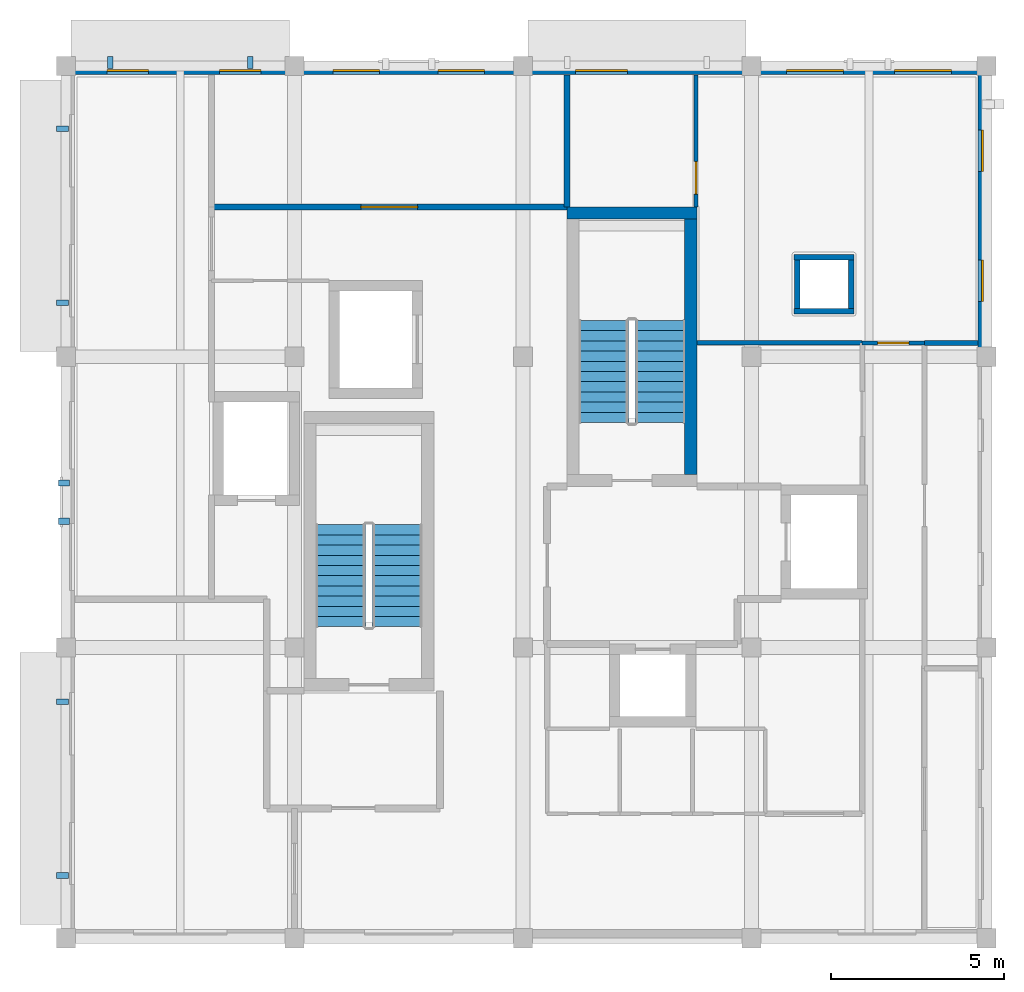
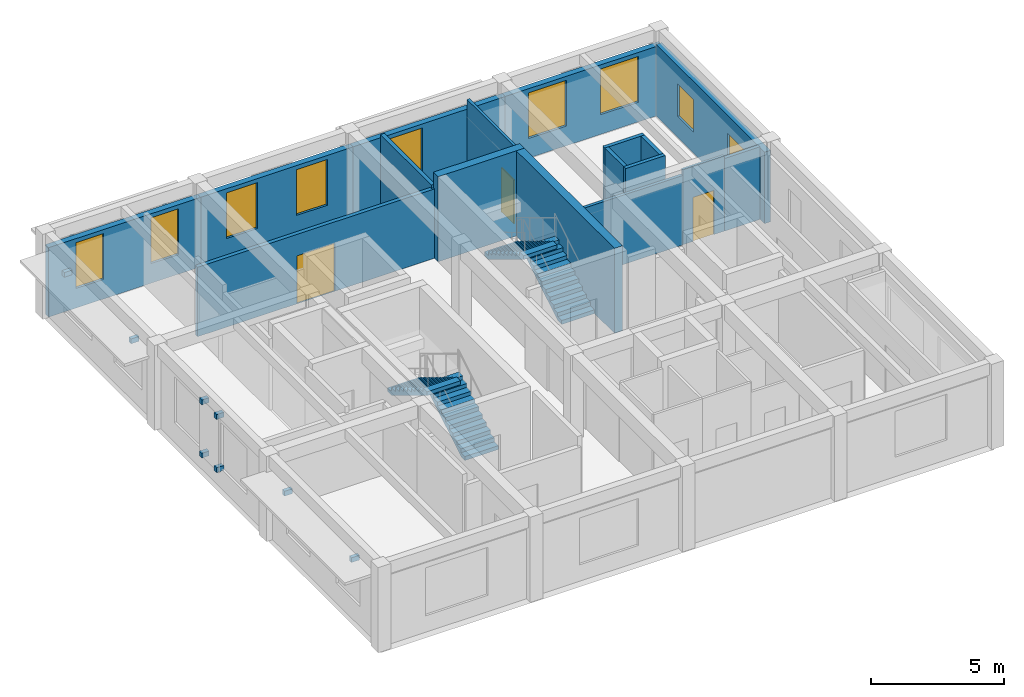
# One storey, part 4 of 6: 17 walls, 10 discrete accessories, 9 windows, 4 stair flights, 3 doors, 12 openings, 2 elements without a shape of their own.
"""IFC4 building model written with IfcOpenShell, lengths in metres."""

from ifc_helpers import new_model, si_unit, direction, frame, frame_2d, origin, origin_2d, place, context, subcontext, project, spatial, polyline, rectangle, outline, extrude, material, layer, layer_set, type_object, element, fill, aggregate, save


model = new_model("IFC4")

# Units and contexts
model_context = context("Model", 3, precision=1e-05, world=origin(), true_north=direction((0.0, 1.0)))
body_context = subcontext(model_context, "Body", "Model", "MODEL_VIEW")
ifc_project = project(units=[si_unit("LENGTHUNIT", "METRE"), si_unit("AREAUNIT", "SQUARE_METRE"), si_unit("VOLUMEUNIT", "CUBIC_METRE"), si_unit("PLANEANGLEUNIT", "RADIAN"), si_unit("MASSUNIT", "GRAM", prefix="KILO")], contexts=[model_context])

# Site, building, storey
site_placement = place(None, origin())
site = spatial("IfcSite", under=ifc_project, at=site_placement, CompositionType="ELEMENT")
building_placement = place(site_placement, origin())
building = spatial("IfcBuilding", under=site, at=building_placement, Name="Kolvaren Faculty of Natural Sciences", CompositionType="ELEMENT")
storey_placement = place(building_placement, frame((0.0, 0.0, 36.60009765625)))
storey = spatial("IfcBuildingStorey", under=building, at=storey_placement, Name="L08", CompositionType="ELEMENT", Elevation=36.60009765625)

# Walls
ifc_material_1 = material(Name="Acoustic mineral-wool insulated gypsum partition")
ifc_layer_1 = layer(ifc_material_1, 0.139892578125)
ifc_layer_set_1 = layer_set([ifc_layer_1], Name="Acoustic mineral-wool insulated gypsum partition")
wall_type_1 = type_object("IfcWallType", Name="CommonsPartitionWall_140", PredefinedType="PARTITIONING", material=ifc_layer_set_1)
wall_1_placement = place(storey_placement, frame((170.199951171875, 76.199951171875, 0.0), z_axis=(0.0, 0.0, 1.0), x_axis=(1.0, 0.0, 0.0)))
element("IfcWall", 1, at=wall_1_placement, inside=storey, type_object=wall_type_1, Name="L08 interior partition PW-140", PredefinedType="PARTITIONING", context=body_context, shape_type="SweptSolid", body=[
    extrude(rectangle(XDim=1.548095703125, YDim=0.139892578125, at=frame_2d((0.77392578125, 0.0))), origin(), (0.0, 0.0, 1.0), 3.3349609375),
])
ifc_material_2 = material(Name="Concrete C40/50", Category="concrete")
ifc_layer_2 = layer(ifc_material_2, 0.35009765625)
ifc_layer_set_2 = layer_set([ifc_layer_2], Name="Concrete C40/50")
wall_type_2 = type_object("IfcWallType", Name="CoreShearWall_350", PredefinedType="SHEAR", material=ifc_layer_set_2)
wall_2_placement = place(storey_placement, frame((159.875, 79.949951171875, 0.0), z_axis=(0.0, 0.0, 1.0), x_axis=(1.0, 0.0, 0.0)))
element("IfcWall", 2, at=wall_2_placement, inside=storey, type_object=wall_type_2, Name="L08 CORE-C1 stair shear wall N", PredefinedType="SHEAR", context=body_context, shape_type="SweptSolid", body=[
    extrude(rectangle(XDim=3.75, YDim=0.35009765625, at=frame_2d((1.875, 0.0))), origin(), (0.0, 0.0, 1.0), 3.89990234375),
])
wall_3_placement = place(storey_placement, frame((163.449951171875, 72.39990234375, 0.0), z_axis=(0.0, 0.0, 1.0), x_axis=(0.0, 1.0, 0.0)))
element("IfcWall", 3, at=wall_3_placement, inside=storey, type_object=wall_type_2, Name="L08 CORE-C1 stair shear wall E", PredefinedType="SHEAR", context=body_context, shape_type="SweptSolid", body=[
    extrude(rectangle(XDim=7.375, YDim=0.35009765625, at=frame_2d((3.6875, 0.0))), origin(), (0.0, 0.0, 1.0), 3.89990234375),
])

# Wall, openings, windows
ifc_material_3 = material(Name="Precast concrete C35/45", Category="concrete")
ifc_layer_3 = layer(ifc_material_3, 0.25)
ifc_layer_set_3 = layer_set([ifc_layer_3], Name="Precast concrete C35/45")
wall_type_3 = type_object("IfcWallType", Name="ExteriorTowerWall_250", PredefinedType="STANDARD", material=ifc_layer_set_3)
wall_4_placement = place(storey_placement, frame((171.875, 83.949951171875, 0.0), z_axis=(0.0, 0.0, 1.0), x_axis=(0.0, -1.0, 0.0)))
wall_4 = element("IfcWall", 4, at=wall_4_placement, inside=storey, type_object=wall_type_3, Name="L08 exterior masonry wall EW-250 (726)", PredefinedType="STANDARD", context=body_context, shape_type="SweptSolid", body=[
    extrude(rectangle(XDim=8.14990234375, YDim=0.25, at=frame_2d((4.074951171875, 0.0))), origin(), (0.0, 0.0, 1.0), 3.284912109375),
])
opening_1_placement = place(wall_4_placement, frame((1.6005859375, 0.0, 0.949951171875)))
opening_1 = element("IfcOpeningElement", 5, at=opening_1_placement, cuts=wall_4, Name="Opening WIN-13", PredefinedType="OPENING", context=body_context, shape_type="SweptSolid", body=[
    extrude(rectangle(XDim=1.199951171875, YDim=1.5, at=frame_2d((0.60009765625, 0.75))), frame((0.0, 0.135009765625, 0.0), z_axis=(0.0, -1.0, 0.0), x_axis=(1.0, 0.0, 0.0)), (0.0, 0.0, 1.0), 0.27001953125),
])
opening_2_placement = place(wall_4_placement, frame((5.349609375, 0.0, 0.949951171875)))
opening_2 = element("IfcOpeningElement", 6, at=opening_2_placement, cuts=wall_4, Name="Opening WIN-13", PredefinedType="OPENING", context=body_context, shape_type="SweptSolid", body=[
    extrude(rectangle(XDim=1.199951171875, YDim=1.5, at=frame_2d((0.60009765625, 0.75))), frame((0.0, 0.135009765625, 0.0), z_axis=(0.0, -1.0, 0.0), x_axis=(1.0, 0.0, 0.0)), (0.0, 0.0, 1.0), 0.27001953125),
])
ifc_material_4 = material(Name="Double low-E solar control insulated glazing", Category="glass")
window_type_1 = type_object("IfcWindowType", Name="AluWindow_WIN13_1200x1500", PartitioningType="SINGLE_PANEL", PredefinedType="WINDOW", material=ifc_material_4)
window_1_placement = place(opening_1_placement, origin())
window_1 = element("IfcWindow", 7, at=window_1_placement, inside=storey, type_object=window_type_1, Name="WIN-L08-0583", OverallHeight=1.5, OverallWidth=1.199951171875, PartitioningType="SINGLE_PANEL", PredefinedType="WINDOW", context=body_context, shape_type="SweptSolid", body=[
    extrude(rectangle(XDim=1.199951171875, YDim=1.5, at=frame_2d((0.60009765625, 0.75))), frame((0.0, 0.030029296875, 0.0), z_axis=(0.0, -1.0, 0.0), x_axis=(1.0, 0.0, 0.0)), (0.0, 0.0, 1.0), 0.06005859375),
])
fill(opening_1, window_1)
window_2_placement = place(opening_2_placement, origin())
window_2 = element("IfcWindow", 8, at=window_2_placement, inside=storey, type_object=window_type_1, Name="WIN-L08-0584", OverallHeight=1.5, OverallWidth=1.199951171875, PartitioningType="SINGLE_PANEL", PredefinedType="WINDOW", context=body_context, shape_type="SweptSolid", body=[
    extrude(rectangle(XDim=1.199951171875, YDim=1.5, at=frame_2d((0.60009765625, 0.75))), frame((0.0, 0.030029296875, 0.0), z_axis=(0.0, -1.0, 0.0), x_axis=(1.0, 0.0, 0.0)), (0.0, 0.0, 1.0), 0.06005859375),
])
fill(opening_2, window_2)

wall_5_placement = place(storey_placement, frame((145.39990234375, 84.074951171875, 0.0), z_axis=(0.0, 0.0, 1.0), x_axis=(1.0, 0.0, 0.0)))
wall_5 = element("IfcWall", 9, at=wall_5_placement, inside=storey, type_object=wall_type_3, Name="L08 exterior masonry wall EW-250 (729)", PredefinedType="STANDARD", context=body_context, shape_type="SweptSolid", body=[
    extrude(rectangle(XDim=6.60009765625, YDim=0.25, at=frame_2d((3.300048828125, 0.0))), origin(), (0.0, 0.0, 1.0), 3.184814453125),
])
opening_3_placement = place(wall_5_placement, frame((1.181884765625, 0.0, 0.89990234375)))
opening_3 = element("IfcOpeningElement", 10, at=opening_3_placement, cuts=wall_5, Name="Opening WIN-01", PredefinedType="OPENING", context=body_context, shape_type="SweptSolid", body=[
    extrude(rectangle(XDim=1.199951171875, YDim=2.10009765625, at=frame_2d((0.60009765625, 1.050048828125))), frame((0.0, 0.135009765625, 0.0), z_axis=(0.0, -1.0, 0.0), x_axis=(1.0, 0.0, 0.0)), (0.0, 0.0, 1.0), 0.27001953125),
])
opening_4_placement = place(wall_5_placement, frame((4.43994140625, 0.0, 0.89990234375)))
opening_4 = element("IfcOpeningElement", 11, at=opening_4_placement, cuts=wall_5, Name="Opening WIN-01", PredefinedType="OPENING", context=body_context, shape_type="SweptSolid", body=[
    extrude(rectangle(XDim=1.199951171875, YDim=2.10009765625, at=frame_2d((0.60009765625, 1.050048828125))), frame((0.0, 0.135009765625, 0.0), z_axis=(0.0, -1.0, 0.0), x_axis=(1.0, 0.0, 0.0)), (0.0, 0.0, 1.0), 0.27001953125),
])
window_type_2 = type_object("IfcWindowType", Name="AluWindow_WIN01_1200x2100", PartitioningType="SINGLE_PANEL", PredefinedType="WINDOW", material=ifc_material_4)
window_3_placement = place(opening_3_placement, origin())
window_3 = element("IfcWindow", 12, at=window_3_placement, inside=storey, type_object=window_type_2, Name="WIN-L08-0589", OverallHeight=2.10009765625, OverallWidth=1.199951171875, PartitioningType="SINGLE_PANEL", PredefinedType="WINDOW", context=body_context, shape_type="SweptSolid", body=[
    extrude(rectangle(XDim=1.199951171875, YDim=2.10009765625, at=frame_2d((0.60009765625, 1.050048828125))), frame((0.0, 0.030029296875, 0.0), z_axis=(0.0, -1.0, 0.0), x_axis=(1.0, 0.0, 0.0)), (0.0, 0.0, 1.0), 0.06005859375),
])
fill(opening_3, window_3)
window_4_placement = place(opening_4_placement, origin())
window_4 = element("IfcWindow", 13, at=window_4_placement, inside=storey, type_object=window_type_2, Name="WIN-L08-0590", OverallHeight=2.10009765625, OverallWidth=1.199951171875, PartitioningType="SINGLE_PANEL", PredefinedType="WINDOW", context=body_context, shape_type="SweptSolid", body=[
    extrude(rectangle(XDim=1.199951171875, YDim=2.10009765625, at=frame_2d((0.60009765625, 1.050048828125))), frame((0.0, 0.030029296875, 0.0), z_axis=(0.0, -1.0, 0.0), x_axis=(1.0, 0.0, 0.0)), (0.0, 0.0, 1.0), 0.06005859375),
])
fill(opening_4, window_4)

wall_6_placement = place(storey_placement, frame((152.0, 84.074951171875, 0.0), z_axis=(0.0, 0.0, 1.0), x_axis=(1.0, 0.0, 0.0)))
wall_6 = element("IfcWall", 14, at=wall_6_placement, inside=storey, type_object=wall_type_3, Name="L08 exterior masonry wall EW-250 (730)", PredefinedType="STANDARD", context=body_context, shape_type="SweptSolid", body=[
    extrude(rectangle(XDim=6.60009765625, YDim=0.25, at=frame_2d((3.300048828125, 0.0))), origin(), (0.0, 0.0, 1.0), 3.184814453125),
])
opening_5_placement = place(wall_6_placement, frame((1.10693359375, 0.0, 0.89990234375)))
opening_5 = element("IfcOpeningElement", 15, at=opening_5_placement, cuts=wall_6, Name="Opening WIN-02", PredefinedType="OPENING", context=body_context, shape_type="SweptSolid", body=[
    extrude(rectangle(XDim=1.35009765625, YDim=2.10009765625, at=frame_2d((0.675048828125, 1.050048828125))), frame((0.0, 0.135009765625, 0.0), z_axis=(0.0, -1.0, 0.0), x_axis=(1.0, 0.0, 0.0)), (0.0, 0.0, 1.0), 0.27001953125),
])
opening_6_placement = place(wall_6_placement, frame((4.14306640625, 0.0, 0.89990234375)))
opening_6 = element("IfcOpeningElement", 16, at=opening_6_placement, cuts=wall_6, Name="Opening WIN-02", PredefinedType="OPENING", context=body_context, shape_type="SweptSolid", body=[
    extrude(rectangle(XDim=1.35009765625, YDim=2.10009765625, at=frame_2d((0.675048828125, 1.050048828125))), frame((0.0, 0.135009765625, 0.0), z_axis=(0.0, -1.0, 0.0), x_axis=(1.0, 0.0, 0.0)), (0.0, 0.0, 1.0), 0.27001953125),
])
window_type_3 = type_object("IfcWindowType", Name="AluWindow_WIN02_1350x2100", PartitioningType="SINGLE_PANEL", PredefinedType="WINDOW", material=ifc_material_4)
window_5_placement = place(opening_5_placement, origin())
window_5 = element("IfcWindow", 17, at=window_5_placement, inside=storey, type_object=window_type_3, Name="WIN-L08-0591", OverallHeight=2.10009765625, OverallWidth=1.35009765625, PartitioningType="SINGLE_PANEL", PredefinedType="WINDOW", context=body_context, shape_type="SweptSolid", body=[
    extrude(rectangle(XDim=1.35009765625, YDim=2.10009765625, at=frame_2d((0.675048828125, 1.050048828125))), frame((0.0, 0.030029296875, 0.0), z_axis=(0.0, -1.0, 0.0), x_axis=(1.0, 0.0, 0.0)), (0.0, 0.0, 1.0), 0.06005859375),
])
fill(opening_5, window_5)
window_6_placement = place(opening_6_placement, origin())
window_6 = element("IfcWindow", 18, at=window_6_placement, inside=storey, type_object=window_type_3, Name="WIN-L08-0592", OverallHeight=2.10009765625, OverallWidth=1.35009765625, PartitioningType="SINGLE_PANEL", PredefinedType="WINDOW", context=body_context, shape_type="SweptSolid", body=[
    extrude(rectangle(XDim=1.35009765625, YDim=2.10009765625, at=frame_2d((0.675048828125, 1.050048828125))), frame((0.0, 0.030029296875, 0.0), z_axis=(0.0, -1.0, 0.0), x_axis=(1.0, 0.0, 0.0)), (0.0, 0.0, 1.0), 0.06005859375),
])
fill(opening_6, window_6)

# Wall, opening, window
wall_7_placement = place(storey_placement, frame((158.60009765625, 84.074951171875, 0.0), z_axis=(0.0, 0.0, 1.0), x_axis=(1.0, 0.0, 0.0)))
wall_7 = element("IfcWall", 19, at=wall_7_placement, inside=storey, type_object=wall_type_3, Name="L08 exterior masonry wall EW-250 (731)", PredefinedType="STANDARD", context=body_context, shape_type="SweptSolid", body=[
    extrude(rectangle(XDim=6.599853515625, YDim=0.25, at=frame_2d((3.2998046875, 0.0))), origin(), (0.0, 0.0, 1.0), 3.184814453125),
])
opening_7_placement = place(wall_7_placement, frame((1.514892578125, 0.0, 0.89990234375)))
opening_7 = element("IfcOpeningElement", 20, at=opening_7_placement, cuts=wall_7, Name="Opening WIN-03", PredefinedType="OPENING", context=body_context, shape_type="SweptSolid", body=[
    extrude(rectangle(XDim=1.5, YDim=2.10009765625, at=frame_2d((0.75, 1.050048828125))), frame((0.0, 0.135009765625, 0.0), z_axis=(0.0, -1.0, 0.0), x_axis=(1.0, 0.0, 0.0)), (0.0, 0.0, 1.0), 0.27001953125),
])
window_type_4 = type_object("IfcWindowType", Name="AluWindow_WIN03_1500x2100", PartitioningType="SINGLE_PANEL", PredefinedType="WINDOW", material=ifc_material_4)
window_7_placement = place(opening_7_placement, origin())
window_7 = element("IfcWindow", 21, at=window_7_placement, inside=storey, type_object=window_type_4, Name="WIN-L08-0593", OverallHeight=2.10009765625, OverallWidth=1.5, PartitioningType="SINGLE_PANEL", PredefinedType="WINDOW", context=body_context, shape_type="SweptSolid", body=[
    extrude(rectangle(XDim=1.5, YDim=2.10009765625, at=frame_2d((0.75, 1.050048828125))), frame((0.0, 0.030029296875, 0.0), z_axis=(0.0, -1.0, 0.0), x_axis=(1.0, 0.0, 0.0)), (0.0, 0.0, 1.0), 0.06005859375),
])
fill(opening_7, window_7)

# Wall, openings, windows
wall_8_placement = place(storey_placement, frame((165.199951171875, 84.074951171875, 0.0), z_axis=(0.0, 0.0, 1.0), x_axis=(1.0, 0.0, 0.0)))
wall_8 = element("IfcWall", 22, at=wall_8_placement, inside=storey, type_object=wall_type_3, Name="L08 exterior masonry wall EW-250 (732)", PredefinedType="STANDARD", context=body_context, shape_type="SweptSolid", body=[
    extrude(rectangle(XDim=6.800048828125, YDim=0.25, at=frame_2d((3.39990234375, 0.0))), origin(), (0.0, 0.0, 1.0), 3.184814453125),
])
opening_8_placement = place(wall_8_placement, frame((1.010986328125, 0.0, 0.89990234375)))
opening_8 = element("IfcOpeningElement", 23, at=opening_8_placement, cuts=wall_8, Name="Opening WIN-04", PredefinedType="OPENING", context=body_context, shape_type="SweptSolid", body=[
    extrude(rectangle(XDim=1.64990234375, YDim=2.10009765625, at=frame_2d((0.824951171875, 1.050048828125))), frame((0.0, 0.135009765625, 0.0), z_axis=(0.0, -1.0, 0.0), x_axis=(1.0, 0.0, 0.0)), (0.0, 0.0, 1.0), 0.27001953125),
])
opening_9_placement = place(wall_8_placement, frame((4.138916015625, 0.0, 0.89990234375)))
opening_9 = element("IfcOpeningElement", 24, at=opening_9_placement, cuts=wall_8, Name="Opening WIN-04", PredefinedType="OPENING", context=body_context, shape_type="SweptSolid", body=[
    extrude(rectangle(XDim=1.64990234375, YDim=2.10009765625, at=frame_2d((0.824951171875, 1.050048828125))), frame((0.0, 0.135009765625, 0.0), z_axis=(0.0, -1.0, 0.0), x_axis=(1.0, 0.0, 0.0)), (0.0, 0.0, 1.0), 0.27001953125),
])
window_type_5 = type_object("IfcWindowType", Name="AluWindow_WIN04_1650x2100", PartitioningType="SINGLE_PANEL", PredefinedType="WINDOW", material=ifc_material_4)
window_8_placement = place(opening_8_placement, origin())
window_8 = element("IfcWindow", 25, at=window_8_placement, inside=storey, type_object=window_type_5, Name="WIN-L08-0594", OverallHeight=2.10009765625, OverallWidth=1.64990234375, PartitioningType="SINGLE_PANEL", PredefinedType="WINDOW", context=body_context, shape_type="SweptSolid", body=[
    extrude(rectangle(XDim=1.64990234375, YDim=2.10009765625, at=frame_2d((0.824951171875, 1.050048828125))), frame((0.0, 0.030029296875, 0.0), z_axis=(0.0, -1.0, 0.0), x_axis=(1.0, 0.0, 0.0)), (0.0, 0.0, 1.0), 0.06005859375),
])
fill(opening_8, window_8)
window_9_placement = place(opening_9_placement, origin())
window_9 = element("IfcWindow", 26, at=window_9_placement, inside=storey, type_object=window_type_5, Name="WIN-L08-0595", OverallHeight=2.10009765625, OverallWidth=1.64990234375, PartitioningType="SINGLE_PANEL", PredefinedType="WINDOW", context=body_context, shape_type="SweptSolid", body=[
    extrude(rectangle(XDim=1.64990234375, YDim=2.10009765625, at=frame_2d((0.824951171875, 1.050048828125))), frame((0.0, 0.030029296875, 0.0), z_axis=(0.0, -1.0, 0.0), x_axis=(1.0, 0.0, 0.0)), (0.0, 0.0, 1.0), 0.06005859375),
])
fill(opening_9, window_9)

# Walls
ifc_layer_4 = layer(ifc_material_1, 0.1298828125)
ifc_layer_set_4 = layer_set([ifc_layer_4], Name="Acoustic mineral-wool insulated gypsum partition")
wall_type_4 = type_object("IfcWallType", Name="OfficePartitionWall_130", PredefinedType="PARTITIONING", material=ifc_layer_set_4)
wall_9_placement = place(storey_placement, frame((163.626953125, 76.199951171875, 0.0), z_axis=(0.0, 0.0, 1.0), x_axis=(1.0, 0.0, 0.0)))
element("IfcWall", 27, at=wall_9_placement, inside=storey, type_object=wall_type_4, Name="L08 interior partition PW-130", PredefinedType="PARTITIONING", context=body_context, shape_type="SweptSolid", body=[
    extrude(rectangle(XDim=4.77294921875, YDim=0.1298828125, at=frame_2d((2.386474609375, 0.0))), origin(), (0.0, 0.0, 1.0), 3.184814453125),
])
ifc_material_5 = material(Name="Double fire-rated gypsum board on 100 mm steel stud", Category="steel")
ifc_layer_5 = layer(ifc_material_5, 0.159912109375)
ifc_layer_set_5 = layer_set([ifc_layer_5], Name="Double fire-rated gypsum board on 100 mm steel stud")
wall_type_5 = type_object("IfcWallType", Name="RiserShaftWall_160", PredefinedType="PARTITIONING", material=ifc_layer_set_5)
for number, where, z_axis, x_axis, name in (
    (28, (166.43994140625, 77.1201171875, 0.0), (0.0, 0.0, 1.0), (1.0, 0.0, 0.0), "L08 service riser shaft wall S"),
    (29, (166.43994140625, 78.679931640625, 0.0), (0.0, 0.0, 1.0), (1.0, 0.0, 0.0), "L08 service riser shaft wall N"),
):
    element("IfcWall", number, at=place(storey_placement, frame(where, z_axis=z_axis, x_axis=x_axis)), inside=storey, type_object=wall_type_5, Name=name, PredefinedType="PARTITIONING", context=body_context, shape_type="SweptSolid", body=[
        extrude(rectangle(XDim=1.719970703125, YDim=0.159912109375, at=frame_2d((0.85986328125, 0.0))), origin(), (0.0, 0.0, 1.0), 3.635009765625),
    ])
for number, where, z_axis, x_axis, name in (
    (30, (166.52001953125, 77.199951171875, 0.0), (0.0, 0.0, 1.0), (0.0, 1.0, 0.0), "L08 service riser shaft wall W"),
    (31, (168.080078125, 77.199951171875, 0.0), (0.0, 0.0, 1.0), (0.0, 1.0, 0.0), "L08 service riser shaft wall E"),
):
    element("IfcWall", number, at=place(storey_placement, frame(where, z_axis=z_axis, x_axis=x_axis)), inside=storey, type_object=wall_type_5, Name=name, PredefinedType="PARTITIONING", context=body_context, shape_type="SweptSolid", body=[
        extrude(rectangle(XDim=1.400146484375, YDim=0.159912109375, at=frame_2d((0.7001953125, 0.0))), origin(), (0.0, 0.0, 1.0), 3.635009765625),
    ])
ifc_layer_6 = layer(ifc_material_1, 0.169921875)
ifc_layer_set_6 = layer_set([ifc_layer_6], Name="Acoustic mineral-wool insulated gypsum partition")
wall_type_6 = type_object("IfcWallType", Name="SeminarPartitionWall_170", PredefinedType="PARTITIONING", material=ifc_layer_set_6)
wall_10_placement = place(storey_placement, frame((159.875, 83.947998046875, 0.0), z_axis=(0.0, 0.0, 1.0), x_axis=(0.0, -1.0, 0.0)))
element("IfcWall", 32, at=wall_10_placement, inside=storey, type_object=wall_type_6, Name="L08 interior partition PW-170", PredefinedType="PARTITIONING", context=body_context, shape_type="SweptSolid", body=[
    extrude(rectangle(XDim=3.821044921875, YDim=0.169921875, at=frame_2d((1.91064453125, 0.0))), origin(), (0.0, 0.0, 1.0), 3.3349609375),
])

# Wall, opening, door
wall_11_placement = place(storey_placement, frame((159.875, 80.125, 0.0), z_axis=(0.0, 0.0, 1.0), x_axis=(-1.0, 0.0, 0.0)))
wall_11 = element("IfcWall", 33, at=wall_11_placement, inside=storey, type_object=wall_type_6, Name="L08 interior partition PW-170", PredefinedType="PARTITIONING", context=body_context, shape_type="SweptSolid", body=[
    extrude(rectangle(XDim=10.27490234375, YDim=0.169921875, at=frame_2d((5.137451171875, 0.0))), origin(), (0.0, 0.0, 1.0), 3.184814453125),
])
opening_10_placement = place(wall_11_placement, frame((4.3173828125, 0.0, 0.0)))
opening_10 = element("IfcOpeningElement", 34, at=opening_10_placement, cuts=wall_11, Name="Opening ID-34", PredefinedType="OPENING", context=body_context, shape_type="SweptSolid", body=[
    extrude(rectangle(XDim=1.639892578125, YDim=2.199951171875, at=frame_2d((0.81982421875, 1.10009765625))), frame((0.0, 0.094970703125, 0.0), z_axis=(0.0, -1.0, 0.0), x_axis=(1.0, 0.0, 0.0)), (0.0, 0.0, 1.0), 0.18994140625),
])
ifc_material_6 = material(Name="Thermally broken anodised aluminium glazed door", Category="aluminium")
door_type_1 = type_object("IfcDoorType", Name="InteriorRoomDoor_1640x2200", OperationType="DOUBLE_DOOR_SINGLE_SWING", PredefinedType="DOOR", material=ifc_material_6)
door_1_placement = place(opening_10_placement, origin())
door_1 = element("IfcDoor", 35, at=door_1_placement, inside=storey, type_object=door_type_1, Name="D-L08-0372", OperationType="DOUBLE_DOOR_SINGLE_SWING", OverallHeight=2.199951171875, OverallWidth=1.639892578125, PredefinedType="DOOR", context=body_context, shape_type="SweptSolid", body=[
    extrude(rectangle(XDim=1.639892578125, YDim=2.199951171875, at=frame_2d((0.81982421875, 1.10009765625))), frame((0.0, 0.02490234375, 0.0), z_axis=(0.0, -1.0, 0.0), x_axis=(1.0, 0.0, 0.0)), (0.0, 0.0, 1.0), 0.050048828125),
])
fill(opening_10, door_1)

ifc_layer_7 = layer(ifc_material_1, 0.1201171875)
ifc_layer_set_7 = layer_set([ifc_layer_7], Name="Acoustic mineral-wool insulated gypsum partition")
wall_type_7 = type_object("IfcWallType", Name="StudioPartitionWall_120", PredefinedType="PARTITIONING", material=ifc_layer_set_7)
wall_12_placement = place(storey_placement, frame((170.199951171875, 76.199951171875, 0.0), z_axis=(0.0, 0.0, 1.0), x_axis=(-1.0, 0.0, 0.0)))
wall_12 = element("IfcWall", 36, at=wall_12_placement, inside=storey, type_object=wall_type_7, Name="L08 interior partition PW-120", PredefinedType="PARTITIONING", context=body_context, shape_type="SweptSolid", body=[
    extrude(rectangle(XDim=1.800048828125, YDim=0.1201171875, at=frame_2d((0.89990234375, 0.0))), origin(), (0.0, 0.0, 1.0), 3.434814453125),
])
opening_11_placement = place(wall_12_placement, frame((0.449951171875, 0.0, 0.0)))
opening_11 = element("IfcOpeningElement", 37, at=opening_11_placement, cuts=wall_12, Name="Opening ID-01", PredefinedType="OPENING", context=body_context, shape_type="SweptSolid", body=[
    extrude(rectangle(XDim=0.89990234375, YDim=2.02001953125, at=frame_2d((0.449951171875, 1.010009765625))), frame((0.0, 0.070068359375, 0.0), z_axis=(0.0, -1.0, 0.0), x_axis=(1.0, 0.0, 0.0)), (0.0, 0.0, 1.0), 0.14013671875),
])
ifc_material_7 = material(Name="Solid-core hardwood veneer door leaf in steel frame", Category="steel")
door_type_2 = type_object("IfcDoorType", Name="InteriorRoomDoor_900x2020", OperationType="NOTDEFINED", PredefinedType="DOOR", material=ifc_material_7)
door_2_placement = place(opening_11_placement, origin())
door_2 = element("IfcDoor", 38, at=door_2_placement, inside=storey, type_object=door_type_2, Name="D-L08-0377", OperationType="SINGLE_SWING_RIGHT", OverallHeight=2.02001953125, OverallWidth=0.89990234375, PredefinedType="DOOR", context=body_context, shape_type="SweptSolid", body=[
    extrude(rectangle(XDim=0.89990234375, YDim=2.02001953125, at=frame_2d((0.449951171875, 1.010009765625))), frame((0.0, 0.02490234375, 0.0), z_axis=(0.0, -1.0, 0.0), x_axis=(1.0, 0.0, 0.0)), (0.0, 0.0, 1.0), 0.050048828125),
])
fill(opening_11, door_2)

wall_13_placement = place(storey_placement, frame((163.60009765625, 80.126953125, 0.0), z_axis=(0.0, 0.0, 1.0), x_axis=(0.0, 1.0, 0.0)))
wall_13 = element("IfcWall", 39, at=wall_13_placement, inside=storey, type_object=wall_type_7, Name="L08 interior partition PW-120", PredefinedType="PARTITIONING", context=body_context, shape_type="SweptSolid", body=[
    extrude(rectangle(XDim=3.821044921875, YDim=0.1201171875, at=frame_2d((1.91064453125, 0.0))), origin(), (0.0, 0.0, 1.0), 3.635009765625),
])
opening_12_placement = place(wall_13_placement, frame((0.37060546875, 0.0, 0.0)))
opening_12 = element("IfcOpeningElement", 40, at=opening_12_placement, cuts=wall_13, Name="Opening ID-02", PredefinedType="OPENING", context=body_context, shape_type="SweptSolid", body=[
    extrude(rectangle(XDim=0.93994140625, YDim=2.02001953125, at=frame_2d((0.469970703125, 1.010009765625))), frame((0.0, 0.070068359375, 0.0), z_axis=(0.0, -1.0, 0.0), x_axis=(1.0, 0.0, 0.0)), (0.0, 0.0, 1.0), 0.14013671875),
])
door_type_3 = type_object("IfcDoorType", Name="InteriorRoomDoor_940x2020", OperationType="NOTDEFINED", PredefinedType="DOOR", material=ifc_material_7)
door_3_placement = place(opening_12_placement, origin())
door_3 = element("IfcDoor", 41, at=door_3_placement, inside=storey, type_object=door_type_3, Name="D-L08-0378", OperationType="SINGLE_SWING_LEFT", OverallHeight=2.02001953125, OverallWidth=0.93994140625, PredefinedType="DOOR", context=body_context, shape_type="SweptSolid", body=[
    extrude(rectangle(XDim=0.93994140625, YDim=2.02001953125, at=frame_2d((0.469970703125, 1.010009765625))), frame((0.0, 0.02490234375, 0.0), z_axis=(0.0, -1.0, 0.0), x_axis=(1.0, 0.0, 0.0)), (0.0, 0.0, 1.0), 0.050048828125),
])
fill(opening_12, door_3)

# Stair, stair flights
ifc_material_8 = material(Name="Concrete C35/45", Category="concrete")
stair_type = type_object("IfcStairType", Name="DoglegStair_H3900", PredefinedType="HALF_TURN_STAIR", material=ifc_material_8)
stair_1_placement = place(storey_placement, origin())
stair_1 = element("IfcStair", 42, at=stair_1_placement, inside=storey, type_object=stair_type, Name="L08 Protected exit stair ST-1", PredefinedType="HALF_TURN_STAIR")
stair_flight_type = type_object("IfcStairFlightType", Name="StairFlight_R1773", PredefinedType="STRAIGHT", material=ifc_material_8)
stair_flight_1_placement = place(storey_placement, frame((162.574951171875, 73.89990234375, 0.0), z_axis=(0.0, 0.0, 1.0), x_axis=(0.0, 1.0, 0.0)))
stair_flight_1 = element("IfcStairFlight", 43, at=stair_flight_1_placement, type_object=stair_flight_type, Name="ST-1 flight 1", NumberOfRisers=11, NumberOfTreads=10, PredefinedType="STRAIGHT", RiserHeight=0.177272727, TreadLength=0.295, context=body_context, shape_type="SweptSolid", body=[
    extrude(outline(polyline([(0.0, 0.0), (0.0, 0.17724609375), (0.294921875, 0.17724609375), (0.294921875, 0.3544921875), (0.590087890625, 0.3544921875), (0.590087890625, 0.53173828125), (0.885009765625, 0.53173828125), (0.885009765625, 0.708984375), (1.179931640625, 0.708984375), (1.179931640625, 0.886474609375), (1.47509765625, 0.886474609375), (1.47509765625, 1.063720703125), (1.77001953125, 1.063720703125), (1.77001953125, 1.240966796875), (2.06494140625, 1.240966796875), (2.06494140625, 1.418212890625), (2.360107421875, 1.418212890625), (2.360107421875, 1.595458984375), (2.655029296875, 1.595458984375), (2.655029296875, 1.772705078125), (2.949951171875, 1.772705078125), (2.949951171875, 1.949951171875), (2.949951171875, 1.597900390625), (0.291015625, 0.0), (0.0, 0.0)])), frame((0.0, 0.72509765625, 0.0), z_axis=(0.0, -1.0, 0.0), x_axis=(1.0, 0.0, 0.0)), (0.0, 0.0, 1.0), 1.449951171875),
])
stair_flight_2_placement = place(storey_placement, frame((160.925048828125, 76.85009765625, 1.949951171875), z_axis=(0.0, 0.0, 1.0), x_axis=(0.0, -1.0, 0.0)))
stair_flight_2 = element("IfcStairFlight", 44, at=stair_flight_2_placement, type_object=stair_flight_type, Name="ST-1 flight 2", NumberOfRisers=11, NumberOfTreads=10, PredefinedType="STRAIGHT", RiserHeight=0.177272727, TreadLength=0.295, context=body_context, shape_type="SweptSolid", body=[
    extrude(outline(polyline([(0.0, 0.0), (0.0, 0.17724609375), (0.294921875, 0.17724609375), (0.294921875, 0.3544921875), (0.590087890625, 0.3544921875), (0.590087890625, 0.53173828125), (0.885009765625, 0.53173828125), (0.885009765625, 0.708984375), (1.179931640625, 0.708984375), (1.179931640625, 0.886474609375), (1.47509765625, 0.886474609375), (1.47509765625, 1.063720703125), (1.77001953125, 1.063720703125), (1.77001953125, 1.240966796875), (2.06494140625, 1.240966796875), (2.06494140625, 1.418212890625), (2.360107421875, 1.418212890625), (2.360107421875, 1.595458984375), (2.655029296875, 1.595458984375), (2.655029296875, 1.772705078125), (2.949951171875, 1.772705078125), (2.949951171875, 1.949951171875), (2.949951171875, 1.597900390625), (0.291015625, 0.0), (0.0, 0.0)])), frame((0.0, 0.72509765625, 0.0), z_axis=(0.0, -1.0, 0.0), x_axis=(1.0, 0.0, 0.0)), (0.0, 0.0, 1.0), 1.449951171875),
])
aggregate(stair_1, [stair_flight_1, stair_flight_2])

stair_2_placement = place(storey_placement, origin())
stair_2 = element("IfcStair", 45, at=stair_2_placement, inside=storey, type_object=stair_type, Name="L08 Protected exit stair ST-2", PredefinedType="HALF_TURN_STAIR")
stair_flight_3_placement = place(storey_placement, frame((154.97509765625, 68.0, 0.0), z_axis=(0.0, 0.0, 1.0), x_axis=(0.0, 1.0, 0.0)))
stair_flight_3 = element("IfcStairFlight", 46, at=stair_flight_3_placement, type_object=stair_flight_type, Name="ST-2 flight 1", NumberOfRisers=11, NumberOfTreads=10, PredefinedType="STRAIGHT", RiserHeight=0.177272727, TreadLength=0.295, context=body_context, shape_type="SweptSolid", body=[
    extrude(outline(polyline([(0.0, 0.0), (0.0, 0.17724609375), (0.294921875, 0.17724609375), (0.294921875, 0.3544921875), (0.590087890625, 0.3544921875), (0.590087890625, 0.53173828125), (0.885009765625, 0.53173828125), (0.885009765625, 0.708984375), (1.179931640625, 0.708984375), (1.179931640625, 0.886474609375), (1.47509765625, 0.886474609375), (1.47509765625, 1.063720703125), (1.77001953125, 1.063720703125), (1.77001953125, 1.240966796875), (2.06494140625, 1.240966796875), (2.06494140625, 1.418212890625), (2.360107421875, 1.418212890625), (2.360107421875, 1.595458984375), (2.655029296875, 1.595458984375), (2.655029296875, 1.772705078125), (2.949951171875, 1.772705078125), (2.949951171875, 1.949951171875), (2.949951171875, 1.597900390625), (0.291015625, 0.0), (0.0, 0.0)])), frame((0.0, 0.72509765625, 0.0), z_axis=(0.0, -1.0, 0.0), x_axis=(1.0, 0.0, 0.0)), (0.0, 0.0, 1.0), 1.449951171875),
])
stair_flight_4_placement = place(storey_placement, frame((153.324951171875, 70.949951171875, 1.949951171875), z_axis=(0.0, 0.0, 1.0), x_axis=(0.0, -1.0, 0.0)))
stair_flight_4 = element("IfcStairFlight", 47, at=stair_flight_4_placement, type_object=stair_flight_type, Name="ST-2 flight 2", NumberOfRisers=11, NumberOfTreads=10, PredefinedType="STRAIGHT", RiserHeight=0.177272727, TreadLength=0.295, context=body_context, shape_type="SweptSolid", body=[
    extrude(outline(polyline([(0.0, 0.0), (0.0, 0.17724609375), (0.294921875, 0.17724609375), (0.294921875, 0.3544921875), (0.590087890625, 0.3544921875), (0.590087890625, 0.53173828125), (0.885009765625, 0.53173828125), (0.885009765625, 0.708984375), (1.179931640625, 0.708984375), (1.179931640625, 0.886474609375), (1.47509765625, 0.886474609375), (1.47509765625, 1.063720703125), (1.77001953125, 1.063720703125), (1.77001953125, 1.240966796875), (2.06494140625, 1.240966796875), (2.06494140625, 1.418212890625), (2.360107421875, 1.418212890625), (2.360107421875, 1.595458984375), (2.655029296875, 1.595458984375), (2.655029296875, 1.772705078125), (2.949951171875, 1.772705078125), (2.949951171875, 1.949951171875), (2.949951171875, 1.597900390625), (0.291015625, 0.0), (0.0, 0.0)])), frame((0.0, 0.72509765625, 0.0), z_axis=(0.0, -1.0, 0.0), x_axis=(1.0, 0.0, 0.0)), (0.0, 0.0, 1.0), 1.449951171875),
])
aggregate(stair_2, [stair_flight_3, stair_flight_4])

# Discrete accessories
ifc_material_9 = material(Name="Structural steel EN 10025-2 S355J2", Category="steel")
discrete_accessory_type = type_object("IfcDiscreteAccessoryType", Name="FacadeSupportBracket_260", PredefinedType="BRACKET", material=ifc_material_9)
for number, where, z_axis, x_axis, name in (
    (48, (146.68408203125, 84.300048828125, 2.81494140625), (0.0, 0.0, 1.0), (1.0, 0.0, 0.0), "L08 chhajja hood steel bracket"),
    (49, (150.716064453125, 84.300048828125, 2.81494140625), (0.0, 0.0, 1.0), (1.0, 0.0, 0.0), "L08 chhajja hood steel bracket"),
    (50, (145.300048828125, 60.81298828125, 2.9150390625), (0.0, 0.0, 1.0), (0.0, 1.0, 0.0), "L08 chhajja hood steel bracket"),
    (51, (145.300048828125, 65.8369140625, 2.9150390625), (0.0, 0.0, 1.0), (0.0, 1.0, 0.0), "L08 chhajja hood steel bracket"),
):
    element("IfcDiscreteAccessory", number, at=place(storey_placement, frame(where, z_axis=z_axis, x_axis=x_axis)), inside=storey, type_object=discrete_accessory_type, Name=name, PredefinedType="BRACKET", context=body_context, shape_type="SweptSolid", body=[
        extrude(rectangle(XDim=0.159912109375, YDim=0.340087890625, at=origin_2d()), origin(), (0.0, 0.0, 1.0), 0.219970703125),
    ])
for number, where, z_axis, x_axis, name in (
    (52, (145.340087890625, 71.049072265625, 0.81982421875), (0.0, 0.0, 1.0), (0.0, 1.0, 0.0), "L08 jali screen wall bracket"),
    (53, (145.340087890625, 72.15087890625, 0.81982421875), (0.0, 0.0, 1.0), (0.0, 1.0, 0.0), "L08 jali screen wall bracket"),
    (54, (145.340087890625, 71.049072265625, 3.259765625), (0.0, 0.0, 1.0), (0.0, 1.0, 0.0), "L08 jali screen wall bracket"),
    (55, (145.340087890625, 72.15087890625, 3.259765625), (0.0, 0.0, 1.0), (0.0, 1.0, 0.0), "L08 jali screen wall bracket"),
):
    element("IfcDiscreteAccessory", number, at=place(storey_placement, frame(where, z_axis=z_axis, x_axis=x_axis)), inside=storey, type_object=discrete_accessory_type, Name=name, PredefinedType="BRACKET", context=body_context, shape_type="SweptSolid", body=[
        extrude(rectangle(XDim=0.179931640625, YDim=0.320068359375, at=origin_2d()), origin(), (0.0, 0.0, 1.0), 0.219970703125),
    ])
for number, where, z_axis, x_axis, name in (
    (56, (145.300048828125, 77.363037109375, 2.9150390625), (0.0, 0.0, 1.0), (0.0, 1.0, 0.0), "L08 chhajja hood steel bracket"),
    (57, (145.300048828125, 82.386962890625, 2.9150390625), (0.0, 0.0, 1.0), (0.0, 1.0, 0.0), "L08 chhajja hood steel bracket"),
):
    element("IfcDiscreteAccessory", number, at=place(storey_placement, frame(where, z_axis=z_axis, x_axis=x_axis)), inside=storey, type_object=discrete_accessory_type, Name=name, PredefinedType="BRACKET", context=body_context, shape_type="SweptSolid", body=[
        extrude(rectangle(XDim=0.159912109375, YDim=0.340087890625, at=origin_2d()), origin(), (0.0, 0.0, 1.0), 0.219970703125),
    ])

save(model, "model.ifc")
